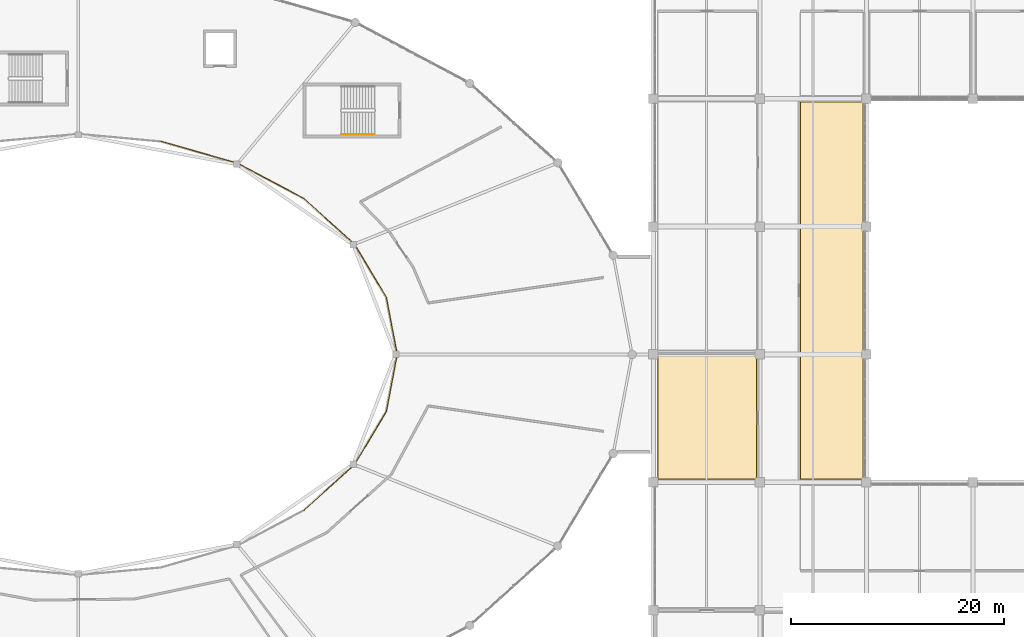
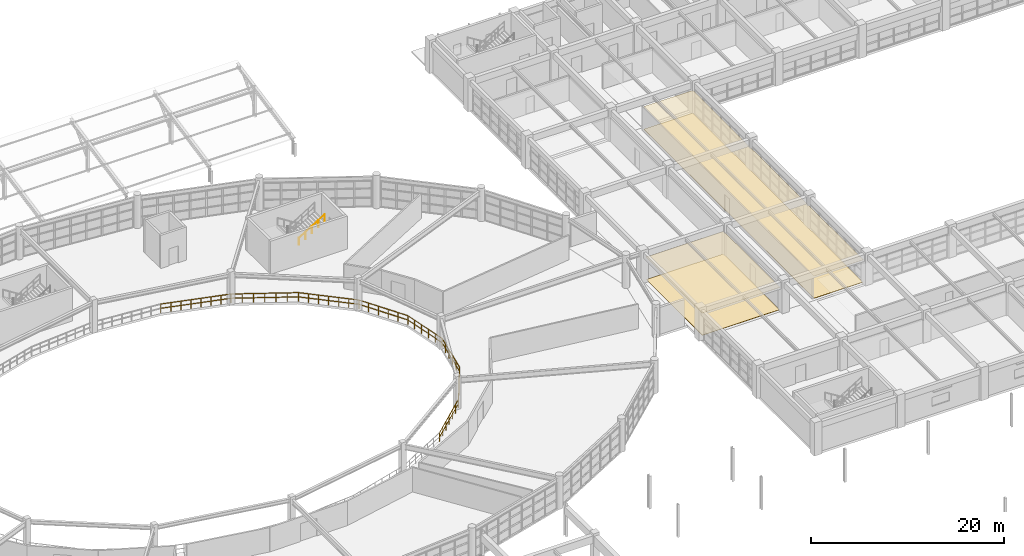
# One storey, part 93 of 100: 9 railings, 4 coverings.
"""IFC4 building model written with IfcOpenShell, lengths in metres."""

from ifc_helpers import new_model, si_unit, direction, frame, origin, origin_2d, place, context, subcontext, project, spatial, polyline, circle, outline, extrude, material, layer, layer_set, type_object, element, save


model = new_model("IFC4")

# Units and contexts
model_context = context("Model", 3, precision=1e-05, world=origin(), true_north=direction((0.0, 1.0)))
body_context = subcontext(model_context, "Body", "Model", "MODEL_VIEW")
ifc_project = project(units=[si_unit("LENGTHUNIT", "METRE"), si_unit("AREAUNIT", "SQUARE_METRE"), si_unit("VOLUMEUNIT", "CUBIC_METRE"), si_unit("PLANEANGLEUNIT", "RADIAN"), si_unit("MASSUNIT", "GRAM", prefix="KILO")], contexts=[model_context])

# Site, building, storey
site_placement = place(None, origin())
site = spatial("IfcSite", under=ifc_project, at=site_placement, CompositionType="ELEMENT")
building_placement = place(site_placement, origin())
building = spatial("IfcBuilding", under=site, at=building_placement, Name="Kivolera Central Railway Station", CompositionType="ELEMENT")
storey_placement = place(building_placement, frame((0.0, 0.0, 5.39990234375)))
storey = spatial("IfcBuildingStorey", under=building, at=storey_placement, Name="L01", CompositionType="ELEMENT", Elevation=5.39990234375)

# Coverings
ifc_material_1 = material(Name="Hardwood mvule timber", Category="wood")
ifc_layer_1 = layer(ifc_material_1, 0.02490234375, Name="Hardwood mvule timber")
ifc_layer_set_1 = layer_set([ifc_layer_1], Name="Hardwood mvule timber")
covering_type_1 = type_object("IfcCoveringType", Name="COV-CEIL-25", PredefinedType="CEILING", material=ifc_layer_set_1)
covering_1_placement = place(storey_placement, frame((0.0, 0.0, 2.85009765625)))
element("IfcCovering", 1, at=covering_1_placement, inside=storey, type_object=covering_type_1, Name="L01 Monsoon Overlook Tea Cafe Acoustic Ceiling", PredefinedType="CEILING", context=body_context, shape_type="SweptSolid", body=[
    extrude(outline(polyline([(131.780029296875, 78.280029296875), (137.719970703125, 78.280029296875), (137.719970703125, 113.719970703125), (131.780029296875, 113.719970703125), (131.780029296875, 78.280029296875)])), origin(), (0.0, 0.0, 1.0), 0.02490234375),
])
ifc_material_2 = material(Name="Mineral fibre acoustic tile")
ifc_layer_2 = layer(ifc_material_2, 0.030029296875, Name="Mineral fibre acoustic tile")
ifc_layer_set_2 = layer_set([ifc_layer_2], Name="Mineral fibre acoustic tile")
covering_type_2 = type_object("IfcCoveringType", Name="COV-CEIL-30", PredefinedType="CEILING", material=ifc_layer_set_2)
covering_2_placement = place(storey_placement, frame((0.0, 0.0, 2.85009765625)))
element("IfcCovering", 2, at=covering_2_placement, inside=storey, type_object=covering_type_2, Name="L01 Revenue Accounting and Fare Audit Office Acoustic Ceiling", PredefinedType="CEILING", context=body_context, shape_type="SweptSolid", body=[
    extrude(outline(polyline([(118.3798828125, 78.280029296875), (127.719970703125, 78.280029296875), (127.719970703125, 90.02001953125), (118.3798828125, 90.02001953125), (118.3798828125, 78.280029296875)])), origin(), (0.0, 0.0, 1.0), 0.030029296875),
])
ifc_material_3 = material(Name="Swahili coral limestone", Category="masonry")
ifc_layer_3 = layer(ifc_material_3, 0.030029296875, Name="Swahili coral limestone")
ifc_layer_set_3 = layer_set([ifc_layer_3], Name="Swahili coral limestone")
covering_type_3 = type_object("IfcCoveringType", Name="COV-FLR-30", PredefinedType="FLOORING", material=ifc_layer_set_3)
covering_3_placement = place(storey_placement, origin())
element("IfcCovering", 3, at=covering_3_placement, inside=storey, type_object=covering_type_3, Name="L01 Revenue Accounting and Fare Audit Office Floor Finish", PredefinedType="FLOORING", context=body_context, shape_type="SweptSolid", body=[
    extrude(outline(polyline([(118.419921875, 78.320068359375), (127.679931640625, 78.320068359375), (127.679931640625, 89.97998046875), (118.419921875, 89.97998046875), (118.419921875, 78.320068359375)])), origin(), (0.0, 0.0, 1.0), 0.030029296875),
])
covering_4_placement = place(storey_placement, origin())
element("IfcCovering", 4, at=covering_4_placement, inside=storey, type_object=covering_type_3, Name="L01 Monsoon Overlook Tea Cafe Floor Finish", PredefinedType="FLOORING", context=body_context, shape_type="SweptSolid", body=[
    extrude(outline(polyline([(131.820068359375, 78.320068359375), (137.679931640625, 78.320068359375), (137.679931640625, 113.679931640625), (131.820068359375, 113.679931640625), (131.820068359375, 78.320068359375)])), origin(), (0.0, 0.0, 1.0), 0.030029296875),
])

# Railings
ifc_material_4 = material(Name="Anodised aluminium", Category="aluminium")
ifc_layer_4 = layer(ifc_material_4, 0.048095703125, Name="Anodised aluminium")
ifc_layer_set_4 = layer_set([ifc_layer_4], Name="Anodised aluminium")
railing_type_1 = type_object("IfcRailingType", Name="RL-INT-BAL-1130", PredefinedType="BALUSTRADE", material=ifc_layer_set_4)
railing_1_placement = place(storey_placement, frame((93.949951171875, 90.0, 0.0)))
element("IfcRailing", 5, at=railing_1_placement, inside=storey, type_object=railing_type_1, Name="L01 Concourse Gallery Balustrade 01", PredefinedType="BALUSTRADE", context=body_context, shape_type="SweptSolid", body=[
    extrude(circle(Radius=0.02392578125, at=origin_2d()), frame((0.0, 0.0, 1.10595703125), z_axis=(-0.187017579272, 0.98235656716, 0.0), x_axis=(-0.98235656716, -0.187017579272, 0.0)), (0.0, 0.0, 1.0), 5.45947265625),
    extrude(circle(Radius=0.02392578125, at=origin_2d()), frame((0.0, 0.0, 0.56494140625), z_axis=(-0.187017579272, 0.98235656716, 0.0), x_axis=(-0.98235656716, -0.187017579272, 0.0)), (0.0, 0.0, 1.0), 5.45947265625),
    extrude(circle(Radius=0.02099609375, at=origin_2d()), origin(), (0.0, 0.0, 1.0), 1.081787109375),
    extrude(circle(Radius=0.02099609375, at=origin_2d()), frame((-0.2041015625, 1.072509765625, 0.0)), (0.0, 0.0, 1.0), 1.081787109375),
    extrude(circle(Radius=0.02099609375, at=origin_2d()), frame((-0.408447265625, 2.145263671875, 0.0)), (0.0, 0.0, 1.0), 1.081787109375),
    extrude(circle(Radius=0.02099609375, at=origin_2d()), frame((-0.612548828125, 3.2177734375, 0.0)), (0.0, 0.0, 1.0), 1.081787109375),
    extrude(circle(Radius=0.02099609375, at=origin_2d()), frame((-0.81689453125, 4.29052734375, 0.0)), (0.0, 0.0, 1.0), 1.081787109375),
    extrude(circle(Radius=0.02099609375, at=origin_2d()), frame((-1.02099609375, 5.363037109375, 0.0)), (0.0, 0.0, 1.0), 1.081787109375),
])
railing_2_placement = place(storey_placement, frame((92.928955078125, 95.363037109375, 0.0)))
element("IfcRailing", 6, at=railing_2_placement, inside=storey, type_object=railing_type_1, Name="L01 Concourse Gallery Balustrade 02", PredefinedType="BALUSTRADE", context=body_context, shape_type="SweptSolid", body=[
    extrude(circle(Radius=0.02392578125, at=origin_2d()), frame((0.0, 0.0, 1.10595703125), z_axis=(-0.513700332444, 0.857969678046, 0.0), x_axis=(-0.857969678046, -0.513700332444, 0.0)), (0.0, 0.0, 1.0), 5.82421875),
    extrude(circle(Radius=0.02392578125, at=origin_2d()), frame((0.0, 0.0, 0.56494140625), z_axis=(-0.513700332444, 0.857969678046, 0.0), x_axis=(-0.857969678046, -0.513700332444, 0.0)), (0.0, 0.0, 1.0), 5.82421875),
    extrude(circle(Radius=0.02099609375, at=origin_2d()), origin(), (0.0, 0.0, 1.0), 1.081787109375),
    extrude(circle(Radius=0.02099609375, at=origin_2d()), frame((-0.598388671875, 0.99951171875, 0.0)), (0.0, 0.0, 1.0), 1.081787109375),
    extrude(circle(Radius=0.02099609375, at=origin_2d()), frame((-1.19677734375, 1.998779296875, 0.0)), (0.0, 0.0, 1.0), 1.081787109375),
    extrude(circle(Radius=0.02099609375, at=origin_2d()), frame((-1.795166015625, 2.998291015625, 0.0)), (0.0, 0.0, 1.0), 1.081787109375),
    extrude(circle(Radius=0.02099609375, at=origin_2d()), frame((-2.3935546875, 3.99755859375, 0.0)), (0.0, 0.0, 1.0), 1.081787109375),
    extrude(circle(Radius=0.02099609375, at=origin_2d()), frame((-2.991943359375, 4.9970703125, 0.0)), (0.0, 0.0, 1.0), 1.081787109375),
])
railing_3_placement = place(storey_placement, frame((89.93701171875, 100.360107421875, 0.0)))
element("IfcRailing", 7, at=railing_3_placement, inside=storey, type_object=railing_type_1, Name="L01 Concourse Gallery Balustrade 03", PredefinedType="BALUSTRADE", context=body_context, shape_type="SweptSolid", body=[
    extrude(circle(Radius=0.02392578125, at=origin_2d()), frame((0.0, 0.0, 1.10595703125), z_axis=(-0.742700869482, 0.669623340745, 0.0), x_axis=(-0.669623340745, -0.742700869482, 0.0)), (0.0, 0.0, 1.0), 6.40771484375),
    extrude(circle(Radius=0.02392578125, at=origin_2d()), frame((0.0, 0.0, 0.56494140625), z_axis=(-0.742700869482, 0.669623340745, 0.0), x_axis=(-0.669623340745, -0.742700869482, 0.0)), (0.0, 0.0, 1.0), 6.40771484375),
    extrude(circle(Radius=0.02099609375, at=origin_2d()), origin(), (0.0, 0.0, 1.0), 1.081787109375),
    extrude(circle(Radius=0.02099609375, at=origin_2d()), frame((-0.793212890625, 0.715087890625, 0.0)), (0.0, 0.0, 1.0), 1.081787109375),
    extrude(circle(Radius=0.02099609375, at=origin_2d()), frame((-1.58642578125, 1.43017578125, 0.0)), (0.0, 0.0, 1.0), 1.081787109375),
    extrude(circle(Radius=0.02099609375, at=origin_2d()), frame((-2.37939453125, 2.1455078125, 0.0)), (0.0, 0.0, 1.0), 1.081787109375),
    extrude(circle(Radius=0.02099609375, at=origin_2d()), frame((-3.172607421875, 2.860595703125, 0.0)), (0.0, 0.0, 1.0), 1.081787109375),
    extrude(circle(Radius=0.02099609375, at=origin_2d()), frame((-3.9658203125, 3.57568359375, 0.0)), (0.0, 0.0, 1.0), 1.081787109375),
    extrude(circle(Radius=0.02099609375, at=origin_2d()), frame((-4.759033203125, 4.290771484375, 0.0)), (0.0, 0.0, 1.0), 1.081787109375),
])
railing_4_placement = place(storey_placement, frame((85.177978515625, 104.65087890625, 0.0)))
element("IfcRailing", 8, at=railing_4_placement, inside=storey, type_object=railing_type_1, Name="L01 Concourse Gallery Balustrade 04", PredefinedType="BALUSTRADE", context=body_context, shape_type="SweptSolid", body=[
    extrude(circle(Radius=0.02392578125, at=origin_2d()), frame((0.0, 0.0, 1.10595703125), z_axis=(-0.883237666535, 0.468925606482, 0.0), x_axis=(-0.468925606482, -0.883237666535, 0.0)), (0.0, 0.0, 1.0), 7.02294921875),
    extrude(circle(Radius=0.02392578125, at=origin_2d()), frame((0.0, 0.0, 0.56494140625), z_axis=(-0.883237666535, 0.468925606482, 0.0), x_axis=(-0.468925606482, -0.883237666535, 0.0)), (0.0, 0.0, 1.0), 7.02294921875),
    extrude(circle(Radius=0.02099609375, at=origin_2d()), origin(), (0.0, 0.0, 1.0), 1.081787109375),
    extrude(circle(Radius=0.02099609375, at=origin_2d()), frame((-1.03369140625, 0.548828125, 0.0)), (0.0, 0.0, 1.0), 1.081787109375),
    extrude(circle(Radius=0.02099609375, at=origin_2d()), frame((-2.067626953125, 1.09765625, 0.0)), (0.0, 0.0, 1.0), 1.081787109375),
    extrude(circle(Radius=0.02099609375, at=origin_2d()), frame((-3.1015625, 1.646484375, 0.0)), (0.0, 0.0, 1.0), 1.081787109375),
    extrude(circle(Radius=0.02099609375, at=origin_2d()), frame((-4.13525390625, 2.195556640625, 0.0)), (0.0, 0.0, 1.0), 1.081787109375),
    extrude(circle(Radius=0.02099609375, at=origin_2d()), frame((-5.1689453125, 2.744384765625, 0.0)), (0.0, 0.0, 1.0), 1.081787109375),
    extrude(circle(Radius=0.02099609375, at=origin_2d()), frame((-6.202880859375, 3.293212890625, 0.0)), (0.0, 0.0, 1.0), 1.081787109375),
])
railing_5_placement = place(storey_placement, frame((78.97509765625, 107.944091796875, 0.0)))
element("IfcRailing", 9, at=railing_5_placement, inside=storey, type_object=railing_type_1, Name="L01 Concourse Gallery Balustrade 05", PredefinedType="BALUSTRADE", context=body_context, shape_type="SweptSolid", body=[
    extrude(circle(Radius=0.02392578125, at=origin_2d()), frame((0.0, 0.0, 1.10595703125), z_axis=(-0.961310313559, 0.275467749556, 0.0), x_axis=(-0.275467749556, -0.961310313559, 0.0)), (0.0, 0.0, 1.0), 7.513916015625),
    extrude(circle(Radius=0.02392578125, at=origin_2d()), frame((0.0, 0.0, 0.56494140625), z_axis=(-0.961310313559, 0.275467749556, 0.0), x_axis=(-0.275467749556, -0.961310313559, 0.0)), (0.0, 0.0, 1.0), 7.513916015625),
    extrude(circle(Radius=0.02099609375, at=origin_2d()), origin(), (0.0, 0.0, 1.0), 1.081787109375),
    extrude(circle(Radius=0.02099609375, at=origin_2d()), frame((-1.031982421875, 0.295654296875, 0.0)), (0.0, 0.0, 1.0), 1.081787109375),
    extrude(circle(Radius=0.02099609375, at=origin_2d()), frame((-2.063720703125, 0.59130859375, 0.0)), (0.0, 0.0, 1.0), 1.081787109375),
    extrude(circle(Radius=0.02099609375, at=origin_2d()), frame((-3.095703125, 0.886962890625, 0.0)), (0.0, 0.0, 1.0), 1.081787109375),
    extrude(circle(Radius=0.02099609375, at=origin_2d()), frame((-4.12744140625, 1.182861328125, 0.0)), (0.0, 0.0, 1.0), 1.081787109375),
    extrude(circle(Radius=0.02099609375, at=origin_2d()), frame((-5.159423828125, 1.478515625, 0.0)), (0.0, 0.0, 1.0), 1.081787109375),
    extrude(circle(Radius=0.02099609375, at=origin_2d()), frame((-6.191162109375, 1.774169921875, 0.0)), (0.0, 0.0, 1.0), 1.081787109375),
    extrude(circle(Radius=0.02099609375, at=origin_2d()), frame((-7.22314453125, 2.06982421875, 0.0)), (0.0, 0.0, 1.0), 1.081787109375),
])
railing_6_placement = place(storey_placement, frame((85.177978515625, 75.34912109375, 0.0)))
element("IfcRailing", 10, at=railing_6_placement, inside=storey, type_object=railing_type_1, Name="L01 Concourse Gallery Balustrade 22", PredefinedType="BALUSTRADE", context=body_context, shape_type="SweptSolid", body=[
    extrude(circle(Radius=0.02392578125, at=origin_2d()), frame((0.0, 0.0, 1.10595703125), z_axis=(0.742700869482, 0.669623340745, 0.0), x_axis=(-0.669623340745, 0.742700869482, 0.0)), (0.0, 0.0, 1.0), 6.40771484375),
    extrude(circle(Radius=0.02392578125, at=origin_2d()), frame((0.0, 0.0, 0.56494140625), z_axis=(0.742700869482, 0.669623340745, 0.0), x_axis=(-0.669623340745, 0.742700869482, 0.0)), (0.0, 0.0, 1.0), 6.40771484375),
    extrude(circle(Radius=0.02099609375, at=origin_2d()), origin(), (0.0, 0.0, 1.0), 1.081787109375),
    extrude(circle(Radius=0.02099609375, at=origin_2d()), frame((0.793212890625, 0.715087890625, 0.0)), (0.0, 0.0, 1.0), 1.081787109375),
    extrude(circle(Radius=0.02099609375, at=origin_2d()), frame((1.58642578125, 1.43017578125, 0.0)), (0.0, 0.0, 1.0), 1.081787109375),
    extrude(circle(Radius=0.02099609375, at=origin_2d()), frame((2.37939453125, 2.1455078125, 0.0)), (0.0, 0.0, 1.0), 1.081787109375),
    extrude(circle(Radius=0.02099609375, at=origin_2d()), frame((3.172607421875, 2.860595703125, 0.0)), (0.0, 0.0, 1.0), 1.081787109375),
    extrude(circle(Radius=0.02099609375, at=origin_2d()), frame((3.9658203125, 3.57568359375, 0.0)), (0.0, 0.0, 1.0), 1.081787109375),
    extrude(circle(Radius=0.02099609375, at=origin_2d()), frame((4.759033203125, 4.290771484375, 0.0)), (0.0, 0.0, 1.0), 1.081787109375),
])
railing_7_placement = place(storey_placement, frame((89.93701171875, 79.639892578125, 0.0)))
element("IfcRailing", 11, at=railing_7_placement, inside=storey, type_object=railing_type_1, Name="L01 Concourse Gallery Balustrade 23", PredefinedType="BALUSTRADE", context=body_context, shape_type="SweptSolid", body=[
    extrude(circle(Radius=0.02392578125, at=origin_2d()), frame((0.0, 0.0, 1.10595703125), z_axis=(0.513700332444, 0.857969678046, 0.0), x_axis=(-0.857969678046, 0.513700332444, 0.0)), (0.0, 0.0, 1.0), 5.82421875),
    extrude(circle(Radius=0.02392578125, at=origin_2d()), frame((0.0, 0.0, 0.56494140625), z_axis=(0.513700332444, 0.857969678046, 0.0), x_axis=(-0.857969678046, 0.513700332444, 0.0)), (0.0, 0.0, 1.0), 5.82421875),
    extrude(circle(Radius=0.02099609375, at=origin_2d()), origin(), (0.0, 0.0, 1.0), 1.081787109375),
    extrude(circle(Radius=0.02099609375, at=origin_2d()), frame((0.598388671875, 0.99951171875, 0.0)), (0.0, 0.0, 1.0), 1.081787109375),
    extrude(circle(Radius=0.02099609375, at=origin_2d()), frame((1.19677734375, 1.998779296875, 0.0)), (0.0, 0.0, 1.0), 1.081787109375),
    extrude(circle(Radius=0.02099609375, at=origin_2d()), frame((1.795166015625, 2.998291015625, 0.0)), (0.0, 0.0, 1.0), 1.081787109375),
    extrude(circle(Radius=0.02099609375, at=origin_2d()), frame((2.3935546875, 3.99755859375, 0.0)), (0.0, 0.0, 1.0), 1.081787109375),
    extrude(circle(Radius=0.02099609375, at=origin_2d()), frame((2.991943359375, 4.9970703125, 0.0)), (0.0, 0.0, 1.0), 1.081787109375),
])
railing_8_placement = place(storey_placement, frame((92.928955078125, 84.636962890625, 0.0)))
element("IfcRailing", 12, at=railing_8_placement, inside=storey, type_object=railing_type_1, Name="L01 Concourse Gallery Balustrade 24", PredefinedType="BALUSTRADE", context=body_context, shape_type="SweptSolid", body=[
    extrude(circle(Radius=0.02392578125, at=origin_2d()), frame((0.0, 0.0, 1.10595703125), z_axis=(0.187017579272, 0.98235656716, 0.0), x_axis=(-0.98235656716, 0.187017579272, 0.0)), (0.0, 0.0, 1.0), 5.45947265625),
    extrude(circle(Radius=0.02392578125, at=origin_2d()), frame((0.0, 0.0, 0.56494140625), z_axis=(0.187017579272, 0.98235656716, 0.0), x_axis=(-0.98235656716, 0.187017579272, 0.0)), (0.0, 0.0, 1.0), 5.45947265625),
    extrude(circle(Radius=0.02099609375, at=origin_2d()), origin(), (0.0, 0.0, 1.0), 1.081787109375),
    extrude(circle(Radius=0.02099609375, at=origin_2d()), frame((0.2041015625, 1.072509765625, 0.0)), (0.0, 0.0, 1.0), 1.081787109375),
    extrude(circle(Radius=0.02099609375, at=origin_2d()), frame((0.408447265625, 2.145263671875, 0.0)), (0.0, 0.0, 1.0), 1.081787109375),
    extrude(circle(Radius=0.02099609375, at=origin_2d()), frame((0.612548828125, 3.2177734375, 0.0)), (0.0, 0.0, 1.0), 1.081787109375),
    extrude(circle(Radius=0.02099609375, at=origin_2d()), frame((0.81689453125, 4.29052734375, 0.0)), (0.0, 0.0, 1.0), 1.081787109375),
    extrude(circle(Radius=0.02099609375, at=origin_2d()), frame((1.02099609375, 5.363037109375, 0.0)), (0.0, 0.0, 1.0), 1.081787109375),
])
ifc_layer_5 = layer(ifc_material_4, 0.048095703125, Name="Anodised aluminium")
ifc_layer_set_5 = layer_set([ifc_layer_5], Name="Anodised aluminium")
railing_type_2 = type_object("IfcRailingType", Name="RL-STAIR-HAND", PredefinedType="HANDRAIL", material=ifc_layer_set_5)
railing_9_placement = place(storey_placement, frame((88.719970703125, 110.669921875, 2.275146484375)))
element("IfcRailing", 13, at=railing_9_placement, inside=storey, type_object=railing_type_2, Name="L01 ST7 stair handrail 2", PredefinedType="HANDRAIL", context=body_context, shape_type="SweptSolid", body=[
    extrude(circle(Radius=0.02392578125, at=origin_2d()), frame((0.0, 0.0, 0.8759765625), z_axis=(0.847998304005, 0.0, 0.529998940003), x_axis=(0.0, 1.0, 0.0)), (0.0, 0.0, 1.0), 3.632080078125),
    extrude(circle(Radius=0.02099609375, at=origin_2d()), origin(), (0.0, 0.0, 1.0), 0.851806640625),
    extrude(circle(Radius=0.02099609375, at=origin_2d()), frame((0.77001953125, 0.0, 0.481201171875)), (0.0, 0.0, 1.0), 0.851806640625),
    extrude(circle(Radius=0.02099609375, at=origin_2d()), frame((1.5400390625, 0.0, 0.96240234375)), (0.0, 0.0, 1.0), 0.851806640625),
    extrude(circle(Radius=0.02099609375, at=origin_2d()), frame((2.31005859375, 0.0, 1.44384765625)), (0.0, 0.0, 1.0), 0.851806640625),
    extrude(circle(Radius=0.02099609375, at=origin_2d()), frame((3.080078125, 0.0, 1.925048828125)), (0.0, 0.0, 1.0), 0.851806640625),
])

save(model, "model.ifc")
